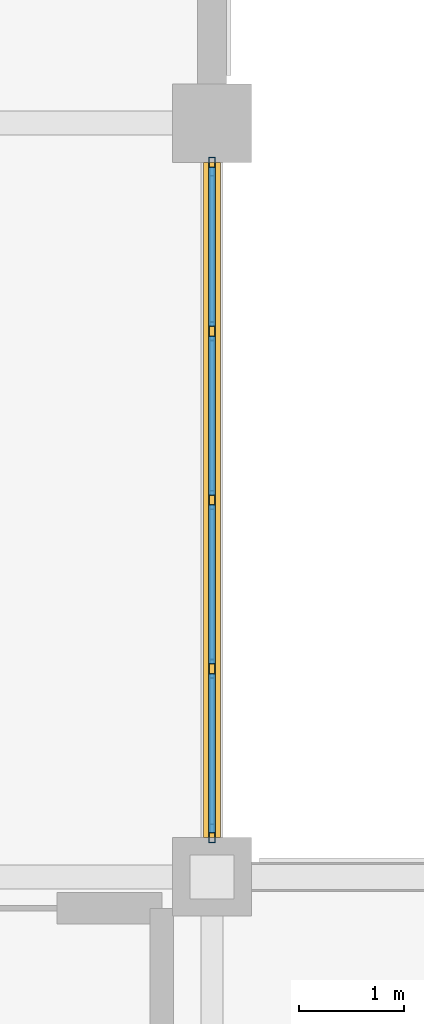
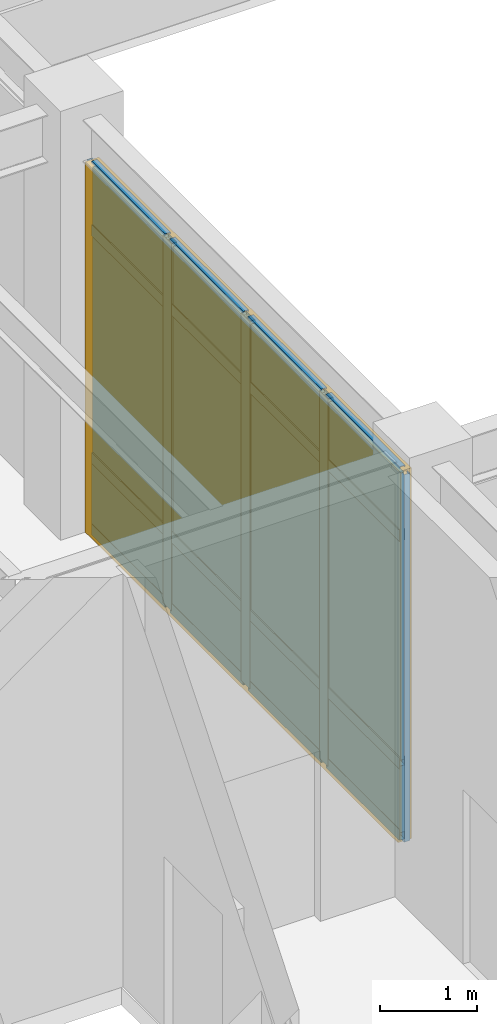
# One storey, part 72 of 97: 21 members, 8 plates, 1 curtain wall.
"""IFC4 building model written with IfcOpenShell, lengths in metres."""

from ifc_helpers import new_model, si_unit, direction, frame, origin, origin_2d, place, context, subcontext, project, spatial, rectangle, hollow_rectangle, extrude, material, layer, layer_set, material_profile, profile_set, type_object, element, aggregate, save


model = new_model("IFC4")

# Units and contexts
model_context = context("Model", 3, precision=1e-05, world=origin(), true_north=direction((0.0, 1.0)))
body_context = subcontext(model_context, "Body", "Model", "MODEL_VIEW")
ifc_project = project(units=[si_unit("LENGTHUNIT", "METRE"), si_unit("AREAUNIT", "SQUARE_METRE"), si_unit("VOLUMEUNIT", "CUBIC_METRE"), si_unit("PLANEANGLEUNIT", "RADIAN"), si_unit("MASSUNIT", "GRAM", prefix="KILO")], contexts=[model_context])

# Member
ifc_material_1 = material(Name="Anodized Aluminium 6063-T6", Category="aluminium")
ifc_material_profile_1 = material_profile(ifc_material_1, hollow_rectangle(XDim=0.06494140625, YDim=0.179931640625, WallThickness=0.00390625, at=origin_2d()), Name="ALU 65x180x4")
ifc_profile_set_1 = profile_set([ifc_material_profile_1], Name="Anodized Aluminium 6063-T6")
member_type_1 = type_object("IfcMemberType", Name="CWM-65X150", PredefinedType="MULLION", material=ifc_profile_set_1)
site_placement = place(None, origin())
building_placement = place(site_placement, origin())
storey_placement = place(building_placement, origin())
member_1_placement = place(storey_placement, frame((72.0, 100.385009765625, 0.02001953125), z_axis=(0.0, 0.0, 1.0), x_axis=(1.0, 0.0, 0.0)))
member_1 = element("IfcMember", 1, at=member_1_placement, type_object=member_type_1, Name="Curtain wall mullion CW-L01-09-13-E-00", PredefinedType="MULLION", context=body_context, shape_type="SweptSolid", body=[
    extrude(hollow_rectangle(XDim=0.06494140625, YDim=0.179931640625, WallThickness=0.00390625, at=origin_2d()), origin(), (0.0, 0.0, 1.0), 4.626953125),
])

member_2_placement = place(storey_placement, frame((72.0, 98.8125, 0.02001953125), z_axis=(0.0, 0.0, 1.0), x_axis=(1.0, 0.0, 0.0)))
member_2 = element("IfcMember", 2, at=member_2_placement, type_object=member_type_1, Name="Curtain wall mullion CW-L01-09-13-E-01", PredefinedType="MULLION", context=body_context, shape_type="SweptSolid", body=[
    extrude(hollow_rectangle(XDim=0.06494140625, YDim=0.179931640625, WallThickness=0.00390625, at=origin_2d()), origin(), (0.0, 0.0, 1.0), 4.626953125),
])

member_3_placement = place(storey_placement, frame((72.0, 97.199951171875, 0.02001953125), z_axis=(0.0, 0.0, 1.0), x_axis=(1.0, 0.0, 0.0)))
member_3 = element("IfcMember", 3, at=member_3_placement, type_object=member_type_1, Name="Curtain wall mullion CW-L01-09-13-E-02", PredefinedType="MULLION", context=body_context, shape_type="SweptSolid", body=[
    extrude(hollow_rectangle(XDim=0.06494140625, YDim=0.179931640625, WallThickness=0.00390625, at=origin_2d()), origin(), (0.0, 0.0, 1.0), 4.626953125),
])

member_4_placement = place(storey_placement, frame((72.0, 95.58740234375, 0.02001953125), z_axis=(0.0, 0.0, 1.0), x_axis=(1.0, 0.0, 0.0)))
member_4 = element("IfcMember", 4, at=member_4_placement, type_object=member_type_1, Name="Curtain wall mullion CW-L01-09-13-E-03", PredefinedType="MULLION", context=body_context, shape_type="SweptSolid", body=[
    extrude(hollow_rectangle(XDim=0.06494140625, YDim=0.179931640625, WallThickness=0.00390625, at=origin_2d()), origin(), (0.0, 0.0, 1.0), 4.626953125),
])

member_5_placement = place(storey_placement, frame((72.0, 94.014892578125, 0.02001953125), z_axis=(0.0, 0.0, 1.0), x_axis=(1.0, 0.0, 0.0)))
member_5 = element("IfcMember", 5, at=member_5_placement, type_object=member_type_1, Name="Curtain wall mullion CW-L01-09-13-E-04", PredefinedType="MULLION", context=body_context, shape_type="SweptSolid", body=[
    extrude(hollow_rectangle(XDim=0.06494140625, YDim=0.179931640625, WallThickness=0.00390625, at=origin_2d()), origin(), (0.0, 0.0, 1.0), 4.626953125),
])

ifc_material_profile_2 = material_profile(ifc_material_1, hollow_rectangle(XDim=0.06494140625, YDim=0.139892578125, WallThickness=0.00390625, at=origin_2d()), Name="ALU 65x140x4")
ifc_profile_set_2 = profile_set([ifc_material_profile_2], Name="Anodized Aluminium 6063-T6")
member_type_2 = type_object("IfcMemberType", Name="CWT-65X120", PredefinedType="USERDEFINED", material=ifc_profile_set_2)
member_6_placement = place(storey_placement, frame((72.0, 100.375, 0.050048828125), z_axis=(0.0, -1.0, 0.0), x_axis=(1.0, 0.0, 0.0)))
member_6 = element("IfcMember", 6, at=member_6_placement, type_object=member_type_2, Name="Curtain wall transom CW-L01-09-13-E-1.01", ObjectType="TRANSOM", PredefinedType="USERDEFINED", context=body_context, shape_type="SweptSolid", body=[
    extrude(hollow_rectangle(XDim=0.06494140625, YDim=0.139892578125, WallThickness=0.00390625, at=origin_2d()), origin(), (0.0, 0.0, 1.0), 1.512451171875),
])

member_7_placement = place(storey_placement, frame((72.0, 98.762451171875, 0.050048828125), z_axis=(0.0, -1.0, 0.0), x_axis=(1.0, 0.0, 0.0)))
member_7 = element("IfcMember", 7, at=member_7_placement, type_object=member_type_2, Name="Curtain wall transom CW-L01-09-13-E-1.02", ObjectType="TRANSOM", PredefinedType="USERDEFINED", context=body_context, shape_type="SweptSolid", body=[
    extrude(hollow_rectangle(XDim=0.06494140625, YDim=0.139892578125, WallThickness=0.00390625, at=origin_2d()), origin(), (0.0, 0.0, 1.0), 1.512451171875),
])

member_8_placement = place(storey_placement, frame((72.0, 97.14990234375, 0.050048828125), z_axis=(0.0, -1.0, 0.0), x_axis=(1.0, 0.0, 0.0)))
member_8 = element("IfcMember", 8, at=member_8_placement, type_object=member_type_2, Name="Curtain wall transom CW-L01-09-13-E-1.03", ObjectType="TRANSOM", PredefinedType="USERDEFINED", context=body_context, shape_type="SweptSolid", body=[
    extrude(hollow_rectangle(XDim=0.06494140625, YDim=0.139892578125, WallThickness=0.00390625, at=origin_2d()), origin(), (0.0, 0.0, 1.0), 1.512451171875),
])

member_9_placement = place(storey_placement, frame((72.0, 95.53759765625, 0.050048828125), z_axis=(0.0, -1.0, 0.0), x_axis=(1.0, 0.0, 0.0)))
member_9 = element("IfcMember", 9, at=member_9_placement, type_object=member_type_2, Name="Curtain wall transom CW-L01-09-13-E-1.04", ObjectType="TRANSOM", PredefinedType="USERDEFINED", context=body_context, shape_type="SweptSolid", body=[
    extrude(hollow_rectangle(XDim=0.06494140625, YDim=0.139892578125, WallThickness=0.00390625, at=origin_2d()), origin(), (0.0, 0.0, 1.0), 1.5126953125),
])

member_10_placement = place(storey_placement, frame((72.0, 100.375, 0.949951171875), z_axis=(0.0, -1.0, 0.0), x_axis=(1.0, 0.0, 0.0)))
member_10 = element("IfcMember", 10, at=member_10_placement, type_object=member_type_2, Name="Curtain wall transom CW-L01-09-13-E-2.01", ObjectType="TRANSOM", PredefinedType="USERDEFINED", context=body_context, shape_type="SweptSolid", body=[
    extrude(hollow_rectangle(XDim=0.06494140625, YDim=0.139892578125, WallThickness=0.00390625, at=origin_2d()), origin(), (0.0, 0.0, 1.0), 1.512451171875),
])

member_11_placement = place(storey_placement, frame((72.0, 98.762451171875, 0.949951171875), z_axis=(0.0, -1.0, 0.0), x_axis=(1.0, 0.0, 0.0)))
member_11 = element("IfcMember", 11, at=member_11_placement, type_object=member_type_2, Name="Curtain wall transom CW-L01-09-13-E-2.02", ObjectType="TRANSOM", PredefinedType="USERDEFINED", context=body_context, shape_type="SweptSolid", body=[
    extrude(hollow_rectangle(XDim=0.06494140625, YDim=0.139892578125, WallThickness=0.00390625, at=origin_2d()), origin(), (0.0, 0.0, 1.0), 1.512451171875),
])

member_12_placement = place(storey_placement, frame((72.0, 97.14990234375, 0.949951171875), z_axis=(0.0, -1.0, 0.0), x_axis=(1.0, 0.0, 0.0)))
member_12 = element("IfcMember", 12, at=member_12_placement, type_object=member_type_2, Name="Curtain wall transom CW-L01-09-13-E-2.03", ObjectType="TRANSOM", PredefinedType="USERDEFINED", context=body_context, shape_type="SweptSolid", body=[
    extrude(hollow_rectangle(XDim=0.06494140625, YDim=0.139892578125, WallThickness=0.00390625, at=origin_2d()), origin(), (0.0, 0.0, 1.0), 1.512451171875),
])

member_13_placement = place(storey_placement, frame((72.0, 95.53759765625, 0.949951171875), z_axis=(0.0, -1.0, 0.0), x_axis=(1.0, 0.0, 0.0)))
member_13 = element("IfcMember", 13, at=member_13_placement, type_object=member_type_2, Name="Curtain wall transom CW-L01-09-13-E-2.04", ObjectType="TRANSOM", PredefinedType="USERDEFINED", context=body_context, shape_type="SweptSolid", body=[
    extrude(hollow_rectangle(XDim=0.06494140625, YDim=0.139892578125, WallThickness=0.00390625, at=origin_2d()), origin(), (0.0, 0.0, 1.0), 1.5126953125),
])

member_14_placement = place(storey_placement, frame((72.0, 100.375, 3.81689453125), z_axis=(0.0, -1.0, 0.0), x_axis=(1.0, 0.0, 0.0)))
member_14 = element("IfcMember", 14, at=member_14_placement, type_object=member_type_2, Name="Curtain wall transom CW-L01-09-13-E-3.01", ObjectType="TRANSOM", PredefinedType="USERDEFINED", context=body_context, shape_type="SweptSolid", body=[
    extrude(hollow_rectangle(XDim=0.06494140625, YDim=0.139892578125, WallThickness=0.00390625, at=origin_2d()), origin(), (0.0, 0.0, 1.0), 1.512451171875),
])

member_15_placement = place(storey_placement, frame((72.0, 98.762451171875, 3.81689453125), z_axis=(0.0, -1.0, 0.0), x_axis=(1.0, 0.0, 0.0)))
member_15 = element("IfcMember", 15, at=member_15_placement, type_object=member_type_2, Name="Curtain wall transom CW-L01-09-13-E-3.02", ObjectType="TRANSOM", PredefinedType="USERDEFINED", context=body_context, shape_type="SweptSolid", body=[
    extrude(hollow_rectangle(XDim=0.06494140625, YDim=0.139892578125, WallThickness=0.00390625, at=origin_2d()), origin(), (0.0, 0.0, 1.0), 1.512451171875),
])

member_16_placement = place(storey_placement, frame((72.0, 97.14990234375, 3.81689453125), z_axis=(0.0, -1.0, 0.0), x_axis=(1.0, 0.0, 0.0)))
member_16 = element("IfcMember", 16, at=member_16_placement, type_object=member_type_2, Name="Curtain wall transom CW-L01-09-13-E-3.03", ObjectType="TRANSOM", PredefinedType="USERDEFINED", context=body_context, shape_type="SweptSolid", body=[
    extrude(hollow_rectangle(XDim=0.06494140625, YDim=0.139892578125, WallThickness=0.00390625, at=origin_2d()), origin(), (0.0, 0.0, 1.0), 1.512451171875),
])

member_17_placement = place(storey_placement, frame((72.0, 95.53759765625, 3.81689453125), z_axis=(0.0, -1.0, 0.0), x_axis=(1.0, 0.0, 0.0)))
member_17 = element("IfcMember", 17, at=member_17_placement, type_object=member_type_2, Name="Curtain wall transom CW-L01-09-13-E-3.04", ObjectType="TRANSOM", PredefinedType="USERDEFINED", context=body_context, shape_type="SweptSolid", body=[
    extrude(hollow_rectangle(XDim=0.06494140625, YDim=0.139892578125, WallThickness=0.00390625, at=origin_2d()), origin(), (0.0, 0.0, 1.0), 1.5126953125),
])

member_18_placement = place(storey_placement, frame((72.0, 100.375, 4.616943359375), z_axis=(0.0, -1.0, 0.0), x_axis=(1.0, 0.0, 0.0)))
member_18 = element("IfcMember", 18, at=member_18_placement, type_object=member_type_2, Name="Curtain wall transom CW-L01-09-13-E-4.01", ObjectType="TRANSOM", PredefinedType="USERDEFINED", context=body_context, shape_type="SweptSolid", body=[
    extrude(hollow_rectangle(XDim=0.06494140625, YDim=0.139892578125, WallThickness=0.00390625, at=origin_2d()), origin(), (0.0, 0.0, 1.0), 1.512451171875),
])

member_19_placement = place(storey_placement, frame((72.0, 98.762451171875, 4.616943359375), z_axis=(0.0, -1.0, 0.0), x_axis=(1.0, 0.0, 0.0)))
member_19 = element("IfcMember", 19, at=member_19_placement, type_object=member_type_2, Name="Curtain wall transom CW-L01-09-13-E-4.02", ObjectType="TRANSOM", PredefinedType="USERDEFINED", context=body_context, shape_type="SweptSolid", body=[
    extrude(hollow_rectangle(XDim=0.06494140625, YDim=0.139892578125, WallThickness=0.00390625, at=origin_2d()), origin(), (0.0, 0.0, 1.0), 1.512451171875),
])

member_20_placement = place(storey_placement, frame((72.0, 97.14990234375, 4.616943359375), z_axis=(0.0, -1.0, 0.0), x_axis=(1.0, 0.0, 0.0)))
member_20 = element("IfcMember", 20, at=member_20_placement, type_object=member_type_2, Name="Curtain wall transom CW-L01-09-13-E-4.03", ObjectType="TRANSOM", PredefinedType="USERDEFINED", context=body_context, shape_type="SweptSolid", body=[
    extrude(hollow_rectangle(XDim=0.06494140625, YDim=0.139892578125, WallThickness=0.00390625, at=origin_2d()), origin(), (0.0, 0.0, 1.0), 1.512451171875),
])

member_21_placement = place(storey_placement, frame((72.0, 95.53759765625, 4.616943359375), z_axis=(0.0, -1.0, 0.0), x_axis=(1.0, 0.0, 0.0)))
member_21 = element("IfcMember", 21, at=member_21_placement, type_object=member_type_2, Name="Curtain wall transom CW-L01-09-13-E-4.04", ObjectType="TRANSOM", PredefinedType="USERDEFINED", context=body_context, shape_type="SweptSolid", body=[
    extrude(hollow_rectangle(XDim=0.06494140625, YDim=0.139892578125, WallThickness=0.00390625, at=origin_2d()), origin(), (0.0, 0.0, 1.0), 1.5126953125),
])

# Plate
ifc_material_2 = material(Name="Double Low-E Insulated Glazing Unit", Category="glass")
ifc_layer_1 = layer(ifc_material_2, 0.0380859375)
ifc_layer_set_1 = layer_set([ifc_layer_1], Name="Double Low-E Insulated Glazing Unit")
plate_type_1 = type_object("IfcPlateType", Name="CWP-IGU-38", PredefinedType="CURTAIN_PANEL", material=ifc_layer_set_1)
plate_1_placement = place(storey_placement, frame((72.0, 99.61865234375, 0.990234375), z_axis=(0.0, 0.0, 1.0), x_axis=(0.0, -1.0, 0.0)))
plate_1 = element("IfcPlate", 22, at=plate_1_placement, type_object=plate_type_1, Name="Curtain wall vision glazing CW-L01-09-13-E-01", PredefinedType="CURTAIN_PANEL", context=body_context, shape_type="SweptSolid", body=[
    extrude(rectangle(XDim=1.5224609375, YDim=0.0400390625, at=origin_2d()), origin(), (0.0, 0.0, 1.0), 3.616943359375),
])

plate_2_placement = place(storey_placement, frame((72.0, 98.006103515625, 0.990234375), z_axis=(0.0, 0.0, 1.0), x_axis=(0.0, -1.0, 0.0)))
plate_2 = element("IfcPlate", 23, at=plate_2_placement, type_object=plate_type_1, Name="Curtain wall vision glazing CW-L01-09-13-E-02", PredefinedType="CURTAIN_PANEL", context=body_context, shape_type="SweptSolid", body=[
    extrude(rectangle(XDim=1.5224609375, YDim=0.0400390625, at=origin_2d()), origin(), (0.0, 0.0, 1.0), 3.616943359375),
])

plate_3_placement = place(storey_placement, frame((72.0, 96.393798828125, 0.990234375), z_axis=(0.0, 0.0, 1.0), x_axis=(0.0, -1.0, 0.0)))
plate_3 = element("IfcPlate", 24, at=plate_3_placement, type_object=plate_type_1, Name="Curtain wall vision glazing CW-L01-09-13-E-03", PredefinedType="CURTAIN_PANEL", context=body_context, shape_type="SweptSolid", body=[
    extrude(rectangle(XDim=1.5224609375, YDim=0.0400390625, at=origin_2d()), origin(), (0.0, 0.0, 1.0), 3.616943359375),
])

plate_4_placement = place(storey_placement, frame((72.0, 94.78125, 0.990234375), z_axis=(0.0, 0.0, 1.0), x_axis=(0.0, -1.0, 0.0)))
plate_4 = element("IfcPlate", 25, at=plate_4_placement, type_object=plate_type_1, Name="Curtain wall vision glazing CW-L01-09-13-E-04", PredefinedType="CURTAIN_PANEL", context=body_context, shape_type="SweptSolid", body=[
    extrude(rectangle(XDim=1.5224609375, YDim=0.0400390625, at=origin_2d()), origin(), (0.0, 0.0, 1.0), 3.616943359375),
])

ifc_material_3 = material(Name="Insulated Bronze Aluminium Spandrel", Category="aluminium")
ifc_layer_2 = layer(ifc_material_3, 0.06005859375)
ifc_layer_set_2 = layer_set([ifc_layer_2], Name="Insulated Bronze Aluminium Spandrel")
plate_type_2 = type_object("IfcPlateType", Name="CWP-SPN-60", PredefinedType="CURTAIN_PANEL", material=ifc_layer_set_2)
plate_5_placement = place(storey_placement, frame((72.0, 99.61865234375, 0.080078125), z_axis=(0.0, 0.0, 1.0), x_axis=(0.0, -1.0, 0.0)))
plate_5 = element("IfcPlate", 26, at=plate_5_placement, type_object=plate_type_2, Name="Curtain wall spandrel panel CW-L01-09-13-E-01", PredefinedType="CURTAIN_PANEL", context=body_context, shape_type="SweptSolid", body=[
    extrude(rectangle(XDim=1.5224609375, YDim=0.06005859375, at=origin_2d()), origin(), (0.0, 0.0, 1.0), 0.840087890625),
])

plate_6_placement = place(storey_placement, frame((72.0, 98.006103515625, 0.080078125), z_axis=(0.0, 0.0, 1.0), x_axis=(0.0, -1.0, 0.0)))
plate_6 = element("IfcPlate", 27, at=plate_6_placement, type_object=plate_type_2, Name="Curtain wall spandrel panel CW-L01-09-13-E-02", PredefinedType="CURTAIN_PANEL", context=body_context, shape_type="SweptSolid", body=[
    extrude(rectangle(XDim=1.5224609375, YDim=0.06005859375, at=origin_2d()), origin(), (0.0, 0.0, 1.0), 0.840087890625),
])

plate_7_placement = place(storey_placement, frame((72.0, 96.393798828125, 0.080078125), z_axis=(0.0, 0.0, 1.0), x_axis=(0.0, -1.0, 0.0)))
plate_7 = element("IfcPlate", 28, at=plate_7_placement, type_object=plate_type_2, Name="Curtain wall spandrel panel CW-L01-09-13-E-03", PredefinedType="CURTAIN_PANEL", context=body_context, shape_type="SweptSolid", body=[
    extrude(rectangle(XDim=1.5224609375, YDim=0.06005859375, at=origin_2d()), origin(), (0.0, 0.0, 1.0), 0.840087890625),
])

plate_8_placement = place(storey_placement, frame((72.0, 94.78125, 0.080078125), z_axis=(0.0, 0.0, 1.0), x_axis=(0.0, -1.0, 0.0)))
plate_8 = element("IfcPlate", 29, at=plate_8_placement, type_object=plate_type_2, Name="Curtain wall spandrel panel CW-L01-09-13-E-04", PredefinedType="CURTAIN_PANEL", context=body_context, shape_type="SweptSolid", body=[
    extrude(rectangle(XDim=1.5224609375, YDim=0.06005859375, at=origin_2d()), origin(), (0.0, 0.0, 1.0), 0.840087890625),
])

# Site, building, storey
site = spatial("IfcSite", under=ifc_project, at=site_placement, CompositionType="ELEMENT")
building = spatial("IfcBuilding", under=site, at=building_placement, Name="Sillqori Civic Hall", CompositionType="ELEMENT")
storey = spatial("IfcBuildingStorey", under=building, at=storey_placement, Name="L01", CompositionType="ELEMENT", Elevation=0.0)

# Curtain wall
ifc_material_4 = material(Name="Anodized Aluminium Curtain Wall System", Category="aluminium")
curtain_wall_type = type_object("IfcCurtainWallType", Name="CW-SF-540", PredefinedType="NOTDEFINED", material=ifc_material_4)
curtain_wall_placement = place(storey_placement, frame((72.0, 97.199951171875, 0.0), z_axis=(0.0, 0.0, 1.0), x_axis=(0.0, -1.0, 0.0)))
curtain_wall = element("IfcCurtainWall", 30, at=curtain_wall_placement, inside=storey, type_object=curtain_wall_type, Name="L01 unitised curtain wall CW-L01-09-13-E", PredefinedType="NOTDEFINED", context=body_context, shape_type="SweptSolid", body=[
    extrude(rectangle(XDim=6.449951171875, YDim=0.159912109375, at=origin_2d()), origin(), (0.0, 0.0, 1.0), 4.6669921875),
])

aggregate(curtain_wall, [member_1, member_2, member_3, member_4, member_5, member_6, member_7, member_8, member_9, member_10, member_11, member_12, member_13, member_14, member_15, member_16, member_17, member_18, member_19, member_20, member_21, plate_5, plate_1, plate_6, plate_2, plate_7, plate_3, plate_8, plate_4])

save(model, "model.ifc")
